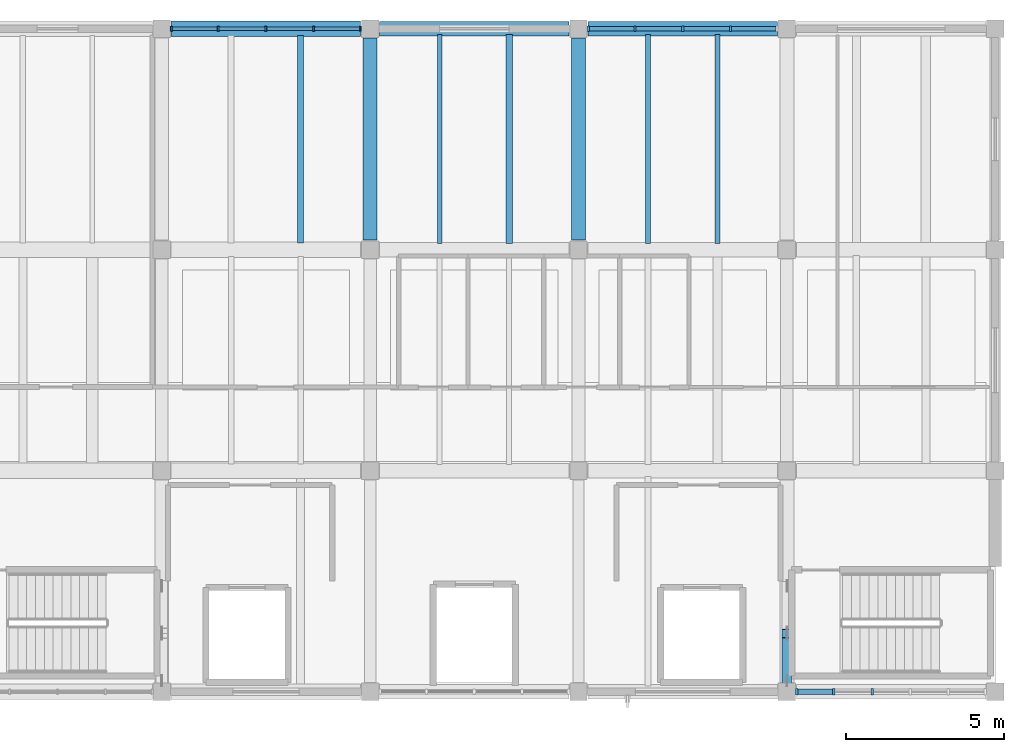
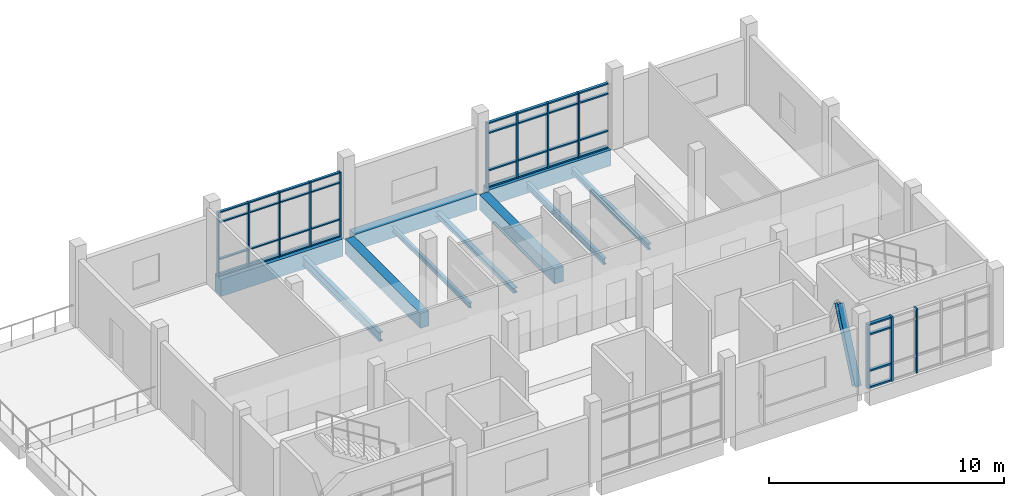
# One storey, part 4 of 12: 49 members, 10 beams, 3 elements without a shape of their own.
"""IFC4 building model written with IfcOpenShell, lengths in metres."""

from ifc_helpers import new_model, si_unit, direction, frame, origin, origin_2d, place, context, subcontext, project, spatial, rectangle, i_section, extrude, material, material_profile, profile_set, type_object, element, aggregate, save


model = new_model("IFC4")

# Units and contexts
model_context = context("Model", 3, precision=1e-05, world=origin(), true_north=direction((0.0, 1.0)))
body_context = subcontext(model_context, "Body", "Model", "MODEL_VIEW")
ifc_project = project(units=[si_unit("LENGTHUNIT", "METRE"), si_unit("AREAUNIT", "SQUARE_METRE"), si_unit("VOLUMEUNIT", "CUBIC_METRE"), si_unit("PLANEANGLEUNIT", "RADIAN"), si_unit("MASSUNIT", "GRAM", prefix="KILO")], contexts=[model_context])

# Site, building, storey
site_placement = place(None, origin())
site = spatial("IfcSite", under=ifc_project, at=site_placement, CompositionType="ELEMENT")
building_placement = place(site_placement, origin())
building = spatial("IfcBuilding", under=site, at=building_placement, Name="Ciguamira Faculty of Natural Sciences", CompositionType="ELEMENT")
storey_placement = place(building_placement, frame((0.0, 0.0, 37.800048828125)))
storey = spatial("IfcBuildingStorey", under=building, at=storey_placement, Name="L09", CompositionType="ELEMENT", Elevation=37.800048828125)

# Curtain wall, members
ifc_material_1 = material(Name="Anodized aluminium curtain wall", Category="aluminium")
curtain_wall_type_1 = type_object("IfcCurtainWallType", Name="CurtainWall_CW-07", PredefinedType="USERDEFINED", material=ifc_material_1)
curtain_wall_1_placement = place(storey_placement, origin())
curtain_wall_1 = element("IfcCurtainWall", 1, at=curtain_wall_1_placement, inside=storey, type_object=curtain_wall_type_1, Name="L09 unitised curtain wall 0163", ObjectType="UNITISED CURTAIN WALL", PredefinedType="USERDEFINED")
ifc_material_2 = material(Name="Anodized aluminium mullion", Category="aluminium")
ifc_material_profile_1 = material_profile(ifc_material_2, rectangle(XDim=0.06005859375, YDim=0.159912109375, at=origin_2d()), Name="ALU-MUL-60X160")
ifc_profile_set_1 = profile_set([ifc_material_profile_1], Name="Anodized aluminium mullion")
member_type_1 = type_object("IfcMemberType", Name="CWMullion_CWM-01", PredefinedType="MULLION", material=ifc_profile_set_1)
member_1_placement = place(storey_placement, frame((77.405029296875, 115.0, 0.0), z_axis=(0.0, 0.0, 1.0), x_axis=(1.0, 0.0, 0.0)))
member_1 = element("IfcMember", 2, at=member_1_placement, type_object=member_type_1, Name="CW-07 mullion 1", PredefinedType="MULLION", context=body_context, shape_type="SweptSolid", body=[
    extrude(rectangle(XDim=0.06005859375, YDim=0.159912109375, at=origin_2d()), origin(), (0.0, 0.0, 1.0), 3.364990234375),
])
member_2_placement = place(storey_placement, frame((78.887451171875, 115.0, 0.0), z_axis=(0.0, 0.0, 1.0), x_axis=(1.0, 0.0, 0.0)))
member_2 = element("IfcMember", 3, at=member_2_placement, type_object=member_type_1, Name="CW-07 mullion 2", PredefinedType="MULLION", context=body_context, shape_type="SweptSolid", body=[
    extrude(rectangle(XDim=0.06005859375, YDim=0.159912109375, at=origin_2d()), origin(), (0.0, 0.0, 1.0), 3.364990234375),
])
member_3_placement = place(storey_placement, frame((80.39990234375, 115.0, 0.0), z_axis=(0.0, 0.0, 1.0), x_axis=(1.0, 0.0, 0.0)))
member_3 = element("IfcMember", 4, at=member_3_placement, type_object=member_type_1, Name="CW-07 mullion 3", PredefinedType="MULLION", context=body_context, shape_type="SweptSolid", body=[
    extrude(rectangle(XDim=0.06005859375, YDim=0.159912109375, at=origin_2d()), origin(), (0.0, 0.0, 1.0), 3.364990234375),
])
member_4_placement = place(storey_placement, frame((81.91259765625, 115.0, 0.0), z_axis=(0.0, 0.0, 1.0), x_axis=(1.0, 0.0, 0.0)))
member_4 = element("IfcMember", 5, at=member_4_placement, type_object=member_type_1, Name="CW-07 mullion 4", PredefinedType="MULLION", context=body_context, shape_type="SweptSolid", body=[
    extrude(rectangle(XDim=0.06005859375, YDim=0.159912109375, at=origin_2d()), origin(), (0.0, 0.0, 1.0), 3.364990234375),
])
member_5_placement = place(storey_placement, frame((83.39501953125, 115.0, 0.0), z_axis=(0.0, 0.0, 1.0), x_axis=(1.0, 0.0, 0.0)))
member_5 = element("IfcMember", 6, at=member_5_placement, type_object=member_type_1, Name="CW-07 mullion 5", PredefinedType="MULLION", context=body_context, shape_type="SweptSolid", body=[
    extrude(rectangle(XDim=0.06005859375, YDim=0.159912109375, at=origin_2d()), origin(), (0.0, 0.0, 1.0), 3.364990234375),
])

curtain_wall_type_2 = type_object("IfcCurtainWallType", Name="CurtainWall_CW-08", PredefinedType="USERDEFINED", material=ifc_material_1)
curtain_wall_2_placement = place(storey_placement, origin())
curtain_wall_2 = element("IfcCurtainWall", 7, at=curtain_wall_2_placement, inside=storey, type_object=curtain_wall_type_2, Name="L09 unitised curtain wall 0164", ObjectType="UNITISED CURTAIN WALL", PredefinedType="USERDEFINED")
ifc_material_profile_2 = material_profile(ifc_material_2, rectangle(XDim=0.070068359375, YDim=0.179931640625, at=origin_2d()), Name="ALU-MUL-70X180")
ifc_profile_set_2 = profile_set([ifc_material_profile_2], Name="Anodized aluminium mullion")
member_type_2 = type_object("IfcMemberType", Name="CWMullion_CWM-02", PredefinedType="MULLION", material=ifc_profile_set_2)
member_6_placement = place(storey_placement, frame((90.610107421875, 115.0, 0.0), z_axis=(0.0, 0.0, 1.0), x_axis=(1.0, 0.0, 0.0)))
member_6 = element("IfcMember", 8, at=member_6_placement, type_object=member_type_2, Name="CW-08 mullion 1", PredefinedType="MULLION", context=body_context, shape_type="SweptSolid", body=[
    extrude(rectangle(XDim=0.070068359375, YDim=0.179931640625, at=origin_2d()), origin(), (0.0, 0.0, 1.0), 3.385009765625),
])
member_7_placement = place(storey_placement, frame((92.08740234375, 115.0, 0.0), z_axis=(0.0, 0.0, 1.0), x_axis=(1.0, 0.0, 0.0)))
member_7 = element("IfcMember", 9, at=member_7_placement, type_object=member_type_2, Name="CW-08 mullion 2", PredefinedType="MULLION", context=body_context, shape_type="SweptSolid", body=[
    extrude(rectangle(XDim=0.070068359375, YDim=0.179931640625, at=origin_2d()), origin(), (0.0, 0.0, 1.0), 3.385009765625),
])
member_8_placement = place(storey_placement, frame((93.60009765625, 115.0, 0.0), z_axis=(0.0, 0.0, 1.0), x_axis=(1.0, 0.0, 0.0)))
member_8 = element("IfcMember", 10, at=member_8_placement, type_object=member_type_2, Name="CW-08 mullion 3", PredefinedType="MULLION", context=body_context, shape_type="SweptSolid", body=[
    extrude(rectangle(XDim=0.070068359375, YDim=0.179931640625, at=origin_2d()), origin(), (0.0, 0.0, 1.0), 3.385009765625),
])
member_9_placement = place(storey_placement, frame((95.112548828125, 115.0, 0.0), z_axis=(0.0, 0.0, 1.0), x_axis=(1.0, 0.0, 0.0)))
member_9 = element("IfcMember", 11, at=member_9_placement, type_object=member_type_2, Name="CW-08 mullion 4", PredefinedType="MULLION", context=body_context, shape_type="SweptSolid", body=[
    extrude(rectangle(XDim=0.070068359375, YDim=0.179931640625, at=origin_2d()), origin(), (0.0, 0.0, 1.0), 3.385009765625),
])

curtain_wall_type_3 = type_object("IfcCurtainWallType", Name="CurtainWall_CW-06", PredefinedType="USERDEFINED", material=ifc_material_1)
curtain_wall_3_placement = place(storey_placement, origin())
curtain_wall_3 = element("IfcCurtainWall", 12, at=curtain_wall_3_placement, inside=storey, type_object=curtain_wall_type_3, Name="L09 unitised curtain wall 0162", ObjectType="UNITISED CURTAIN WALL", PredefinedType="USERDEFINED")
ifc_material_profile_3 = material_profile(ifc_material_2, rectangle(XDim=0.080078125, YDim=0.219970703125, at=origin_2d()), Name="ALU-MUL-80X220")
ifc_profile_set_3 = profile_set([ifc_material_profile_3], Name="Anodized aluminium mullion")
member_type_3 = type_object("IfcMemberType", Name="CWMullion_CWM-03", PredefinedType="MULLION", material=ifc_profile_set_3)
member_10_placement = place(storey_placement, frame((97.215087890625, 94.0, 0.0), z_axis=(0.0, 0.0, 1.0), x_axis=(1.0, 0.0, 0.0)))
member_10 = element("IfcMember", 13, at=member_10_placement, type_object=member_type_3, Name="CW-06 mullion 1", PredefinedType="MULLION", context=body_context, shape_type="SweptSolid", body=[
    extrude(rectangle(XDim=0.080078125, YDim=0.219970703125, at=origin_2d()), origin(), (0.0, 0.0, 1.0), 3.344970703125),
])
member_11_placement = place(storey_placement, frame((98.385009765625, 94.0, 0.0), z_axis=(0.0, 0.0, 1.0), x_axis=(1.0, 0.0, 0.0)))
member_11 = element("IfcMember", 14, at=member_11_placement, type_object=member_type_3, Name="CW-06 mullion 2", PredefinedType="MULLION", context=body_context, shape_type="SweptSolid", body=[
    extrude(rectangle(XDim=0.080078125, YDim=0.219970703125, at=origin_2d()), origin(), (0.0, 0.0, 1.0), 3.344970703125),
])
member_12_placement = place(storey_placement, frame((99.594970703125, 94.0, 0.0), z_axis=(0.0, 0.0, 1.0), x_axis=(1.0, 0.0, 0.0)))
member_12 = element("IfcMember", 15, at=member_12_placement, type_object=member_type_3, Name="CW-06 mullion 3", PredefinedType="MULLION", context=body_context, shape_type="SweptSolid", body=[
    extrude(rectangle(XDim=0.080078125, YDim=0.219970703125, at=origin_2d()), origin(), (0.0, 0.0, 1.0), 3.344970703125),
])

# Member
ifc_material_3 = material(Name="Anodized aluminium transom", Category="aluminium")
ifc_material_profile_4 = material_profile(ifc_material_3, rectangle(XDim=0.06005859375, YDim=0.1201171875, at=origin_2d()), Name="ALU-TRN-60X120")
ifc_profile_set_4 = profile_set([ifc_material_profile_4], Name="Anodized aluminium transom")
member_type_4 = type_object("IfcMemberType", Name="CWTransom_CWT-01", PredefinedType="USERDEFINED", material=ifc_profile_set_4)
member_13_placement = place(storey_placement, frame((77.43505859375, 115.0, 0.030029296875), z_axis=(1.0, 0.0, 0.0), x_axis=(0.0, 0.0, 1.0)))
member_13 = element("IfcMember", 16, at=member_13_placement, type_object=member_type_4, Name="CW-07 transom 1.1", ObjectType="TRANSOM", PredefinedType="USERDEFINED", context=body_context, shape_type="SweptSolid", body=[
    extrude(rectangle(XDim=0.06005859375, YDim=0.1201171875, at=origin_2d()), origin(), (0.0, 0.0, 1.0), 1.42236328125),
])

member_14_placement = place(storey_placement, frame((77.43505859375, 115.0, 0.89990234375), z_axis=(1.0, 0.0, 0.0), x_axis=(0.0, 0.0, 1.0)))
member_14 = element("IfcMember", 17, at=member_14_placement, type_object=member_type_4, Name="CW-07 transom 1.2", ObjectType="TRANSOM", PredefinedType="USERDEFINED", context=body_context, shape_type="SweptSolid", body=[
    extrude(rectangle(XDim=0.06005859375, YDim=0.1201171875, at=origin_2d()), origin(), (0.0, 0.0, 1.0), 1.42236328125),
])

member_15_placement = place(storey_placement, frame((77.43505859375, 115.0, 2.81494140625), z_axis=(1.0, 0.0, 0.0), x_axis=(0.0, 0.0, 1.0)))
member_15 = element("IfcMember", 18, at=member_15_placement, type_object=member_type_4, Name="CW-07 transom 1.3", ObjectType="TRANSOM", PredefinedType="USERDEFINED", context=body_context, shape_type="SweptSolid", body=[
    extrude(rectangle(XDim=0.06005859375, YDim=0.1201171875, at=origin_2d()), origin(), (0.0, 0.0, 1.0), 1.42236328125),
])

member_16_placement = place(storey_placement, frame((77.43505859375, 115.0, 3.3349609375), z_axis=(1.0, 0.0, 0.0), x_axis=(0.0, 0.0, 1.0)))
member_16 = element("IfcMember", 19, at=member_16_placement, type_object=member_type_4, Name="CW-07 transom 1.4", ObjectType="TRANSOM", PredefinedType="USERDEFINED", context=body_context, shape_type="SweptSolid", body=[
    extrude(rectangle(XDim=0.06005859375, YDim=0.1201171875, at=origin_2d()), origin(), (0.0, 0.0, 1.0), 1.42236328125),
])

member_17_placement = place(storey_placement, frame((78.91748046875, 115.0, 0.030029296875), z_axis=(1.0, 0.0, 0.0), x_axis=(0.0, 0.0, 1.0)))
member_17 = element("IfcMember", 20, at=member_17_placement, type_object=member_type_4, Name="CW-07 transom 2.1", ObjectType="TRANSOM", PredefinedType="USERDEFINED", context=body_context, shape_type="SweptSolid", body=[
    extrude(rectangle(XDim=0.06005859375, YDim=0.1201171875, at=origin_2d()), origin(), (0.0, 0.0, 1.0), 1.45263671875),
])

member_18_placement = place(storey_placement, frame((78.91748046875, 115.0, 0.89990234375), z_axis=(1.0, 0.0, 0.0), x_axis=(0.0, 0.0, 1.0)))
member_18 = element("IfcMember", 21, at=member_18_placement, type_object=member_type_4, Name="CW-07 transom 2.2", ObjectType="TRANSOM", PredefinedType="USERDEFINED", context=body_context, shape_type="SweptSolid", body=[
    extrude(rectangle(XDim=0.06005859375, YDim=0.1201171875, at=origin_2d()), origin(), (0.0, 0.0, 1.0), 1.45263671875),
])

member_19_placement = place(storey_placement, frame((78.91748046875, 115.0, 2.81494140625), z_axis=(1.0, 0.0, 0.0), x_axis=(0.0, 0.0, 1.0)))
member_19 = element("IfcMember", 22, at=member_19_placement, type_object=member_type_4, Name="CW-07 transom 2.3", ObjectType="TRANSOM", PredefinedType="USERDEFINED", context=body_context, shape_type="SweptSolid", body=[
    extrude(rectangle(XDim=0.06005859375, YDim=0.1201171875, at=origin_2d()), origin(), (0.0, 0.0, 1.0), 1.45263671875),
])

member_20_placement = place(storey_placement, frame((78.91748046875, 115.0, 3.3349609375), z_axis=(1.0, 0.0, 0.0), x_axis=(0.0, 0.0, 1.0)))
member_20 = element("IfcMember", 23, at=member_20_placement, type_object=member_type_4, Name="CW-07 transom 2.4", ObjectType="TRANSOM", PredefinedType="USERDEFINED", context=body_context, shape_type="SweptSolid", body=[
    extrude(rectangle(XDim=0.06005859375, YDim=0.1201171875, at=origin_2d()), origin(), (0.0, 0.0, 1.0), 1.45263671875),
])

member_21_placement = place(storey_placement, frame((80.429931640625, 115.0, 0.030029296875), z_axis=(1.0, 0.0, 0.0), x_axis=(0.0, 0.0, 1.0)))
member_21 = element("IfcMember", 24, at=member_21_placement, type_object=member_type_4, Name="CW-07 transom 3.1", ObjectType="TRANSOM", PredefinedType="USERDEFINED", context=body_context, shape_type="SweptSolid", body=[
    extrude(rectangle(XDim=0.06005859375, YDim=0.1201171875, at=origin_2d()), origin(), (0.0, 0.0, 1.0), 1.45263671875),
])

member_22_placement = place(storey_placement, frame((80.429931640625, 115.0, 0.89990234375), z_axis=(1.0, 0.0, 0.0), x_axis=(0.0, 0.0, 1.0)))
member_22 = element("IfcMember", 25, at=member_22_placement, type_object=member_type_4, Name="CW-07 transom 3.2", ObjectType="TRANSOM", PredefinedType="USERDEFINED", context=body_context, shape_type="SweptSolid", body=[
    extrude(rectangle(XDim=0.06005859375, YDim=0.1201171875, at=origin_2d()), origin(), (0.0, 0.0, 1.0), 1.45263671875),
])

member_23_placement = place(storey_placement, frame((80.429931640625, 115.0, 2.81494140625), z_axis=(1.0, 0.0, 0.0), x_axis=(0.0, 0.0, 1.0)))
member_23 = element("IfcMember", 26, at=member_23_placement, type_object=member_type_4, Name="CW-07 transom 3.3", ObjectType="TRANSOM", PredefinedType="USERDEFINED", context=body_context, shape_type="SweptSolid", body=[
    extrude(rectangle(XDim=0.06005859375, YDim=0.1201171875, at=origin_2d()), origin(), (0.0, 0.0, 1.0), 1.45263671875),
])

member_24_placement = place(storey_placement, frame((80.429931640625, 115.0, 3.3349609375), z_axis=(1.0, 0.0, 0.0), x_axis=(0.0, 0.0, 1.0)))
member_24 = element("IfcMember", 27, at=member_24_placement, type_object=member_type_4, Name="CW-07 transom 3.4", ObjectType="TRANSOM", PredefinedType="USERDEFINED", context=body_context, shape_type="SweptSolid", body=[
    extrude(rectangle(XDim=0.06005859375, YDim=0.1201171875, at=origin_2d()), origin(), (0.0, 0.0, 1.0), 1.45263671875),
])

member_25_placement = place(storey_placement, frame((81.9423828125, 115.0, 0.030029296875), z_axis=(1.0, 0.0, 0.0), x_axis=(0.0, 0.0, 1.0)))
member_25 = element("IfcMember", 28, at=member_25_placement, type_object=member_type_4, Name="CW-07 transom 4.1", ObjectType="TRANSOM", PredefinedType="USERDEFINED", context=body_context, shape_type="SweptSolid", body=[
    extrude(rectangle(XDim=0.06005859375, YDim=0.1201171875, at=origin_2d()), origin(), (0.0, 0.0, 1.0), 1.422607421875),
])

member_26_placement = place(storey_placement, frame((81.9423828125, 115.0, 0.89990234375), z_axis=(1.0, 0.0, 0.0), x_axis=(0.0, 0.0, 1.0)))
member_26 = element("IfcMember", 29, at=member_26_placement, type_object=member_type_4, Name="CW-07 transom 4.2", ObjectType="TRANSOM", PredefinedType="USERDEFINED", context=body_context, shape_type="SweptSolid", body=[
    extrude(rectangle(XDim=0.06005859375, YDim=0.1201171875, at=origin_2d()), origin(), (0.0, 0.0, 1.0), 1.422607421875),
])

member_27_placement = place(storey_placement, frame((81.9423828125, 115.0, 2.81494140625), z_axis=(1.0, 0.0, 0.0), x_axis=(0.0, 0.0, 1.0)))
member_27 = element("IfcMember", 30, at=member_27_placement, type_object=member_type_4, Name="CW-07 transom 4.3", ObjectType="TRANSOM", PredefinedType="USERDEFINED", context=body_context, shape_type="SweptSolid", body=[
    extrude(rectangle(XDim=0.06005859375, YDim=0.1201171875, at=origin_2d()), origin(), (0.0, 0.0, 1.0), 1.422607421875),
])

member_28_placement = place(storey_placement, frame((81.9423828125, 115.0, 3.3349609375), z_axis=(1.0, 0.0, 0.0), x_axis=(0.0, 0.0, 1.0)))
member_28 = element("IfcMember", 31, at=member_28_placement, type_object=member_type_4, Name="CW-07 transom 4.4", ObjectType="TRANSOM", PredefinedType="USERDEFINED", context=body_context, shape_type="SweptSolid", body=[
    extrude(rectangle(XDim=0.06005859375, YDim=0.1201171875, at=origin_2d()), origin(), (0.0, 0.0, 1.0), 1.422607421875),
])

aggregate(curtain_wall_1, [member_1, member_2, member_3, member_4, member_5, member_13, member_14, member_15, member_16, member_17, member_18, member_19, member_20, member_21, member_22, member_23, member_24, member_25, member_26, member_27, member_28])

ifc_material_profile_5 = material_profile(ifc_material_3, rectangle(XDim=0.070068359375, YDim=0.139892578125, at=origin_2d()), Name="ALU-TRN-70X140")
ifc_profile_set_5 = profile_set([ifc_material_profile_5], Name="Anodized aluminium transom")
member_type_5 = type_object("IfcMemberType", Name="CWTransom_CWT-02", PredefinedType="USERDEFINED", material=ifc_profile_set_5)
member_29_placement = place(storey_placement, frame((90.64501953125, 115.0, 0.034912109375), z_axis=(1.0, 0.0, 0.0), x_axis=(0.0, 0.0, 1.0)))
member_29 = element("IfcMember", 32, at=member_29_placement, type_object=member_type_5, Name="CW-08 transom 1.1", ObjectType="TRANSOM", PredefinedType="USERDEFINED", context=body_context, shape_type="SweptSolid", body=[
    extrude(rectangle(XDim=0.070068359375, YDim=0.139892578125, at=origin_2d()), origin(), (0.0, 0.0, 1.0), 1.407470703125),
])

member_30_placement = place(storey_placement, frame((90.64501953125, 115.0, 0.89990234375), z_axis=(1.0, 0.0, 0.0), x_axis=(0.0, 0.0, 1.0)))
member_30 = element("IfcMember", 33, at=member_30_placement, type_object=member_type_5, Name="CW-08 transom 1.2", ObjectType="TRANSOM", PredefinedType="USERDEFINED", context=body_context, shape_type="SweptSolid", body=[
    extrude(rectangle(XDim=0.070068359375, YDim=0.139892578125, at=origin_2d()), origin(), (0.0, 0.0, 1.0), 1.407470703125),
])

member_31_placement = place(storey_placement, frame((90.64501953125, 115.0, 2.8349609375), z_axis=(1.0, 0.0, 0.0), x_axis=(0.0, 0.0, 1.0)))
member_31 = element("IfcMember", 34, at=member_31_placement, type_object=member_type_5, Name="CW-08 transom 1.3", ObjectType="TRANSOM", PredefinedType="USERDEFINED", context=body_context, shape_type="SweptSolid", body=[
    extrude(rectangle(XDim=0.070068359375, YDim=0.139892578125, at=origin_2d()), origin(), (0.0, 0.0, 1.0), 1.407470703125),
])

member_32_placement = place(storey_placement, frame((90.64501953125, 115.0, 3.349853515625), z_axis=(1.0, 0.0, 0.0), x_axis=(0.0, 0.0, 1.0)))
member_32 = element("IfcMember", 35, at=member_32_placement, type_object=member_type_5, Name="CW-08 transom 1.4", ObjectType="TRANSOM", PredefinedType="USERDEFINED", context=body_context, shape_type="SweptSolid", body=[
    extrude(rectangle(XDim=0.070068359375, YDim=0.139892578125, at=origin_2d()), origin(), (0.0, 0.0, 1.0), 1.407470703125),
])

member_33_placement = place(storey_placement, frame((92.12255859375, 115.0, 0.034912109375), z_axis=(1.0, 0.0, 0.0), x_axis=(0.0, 0.0, 1.0)))
member_33 = element("IfcMember", 36, at=member_33_placement, type_object=member_type_5, Name="CW-08 transom 2.1", ObjectType="TRANSOM", PredefinedType="USERDEFINED", context=body_context, shape_type="SweptSolid", body=[
    extrude(rectangle(XDim=0.070068359375, YDim=0.139892578125, at=origin_2d()), origin(), (0.0, 0.0, 1.0), 1.4423828125),
])

member_34_placement = place(storey_placement, frame((92.12255859375, 115.0, 0.89990234375), z_axis=(1.0, 0.0, 0.0), x_axis=(0.0, 0.0, 1.0)))
member_34 = element("IfcMember", 37, at=member_34_placement, type_object=member_type_5, Name="CW-08 transom 2.2", ObjectType="TRANSOM", PredefinedType="USERDEFINED", context=body_context, shape_type="SweptSolid", body=[
    extrude(rectangle(XDim=0.070068359375, YDim=0.139892578125, at=origin_2d()), origin(), (0.0, 0.0, 1.0), 1.4423828125),
])

member_35_placement = place(storey_placement, frame((92.12255859375, 115.0, 2.8349609375), z_axis=(1.0, 0.0, 0.0), x_axis=(0.0, 0.0, 1.0)))
member_35 = element("IfcMember", 38, at=member_35_placement, type_object=member_type_5, Name="CW-08 transom 2.3", ObjectType="TRANSOM", PredefinedType="USERDEFINED", context=body_context, shape_type="SweptSolid", body=[
    extrude(rectangle(XDim=0.070068359375, YDim=0.139892578125, at=origin_2d()), origin(), (0.0, 0.0, 1.0), 1.4423828125),
])

member_36_placement = place(storey_placement, frame((92.12255859375, 115.0, 3.349853515625), z_axis=(1.0, 0.0, 0.0), x_axis=(0.0, 0.0, 1.0)))
member_36 = element("IfcMember", 39, at=member_36_placement, type_object=member_type_5, Name="CW-08 transom 2.4", ObjectType="TRANSOM", PredefinedType="USERDEFINED", context=body_context, shape_type="SweptSolid", body=[
    extrude(rectangle(XDim=0.070068359375, YDim=0.139892578125, at=origin_2d()), origin(), (0.0, 0.0, 1.0), 1.4423828125),
])

member_37_placement = place(storey_placement, frame((93.635009765625, 115.0, 0.034912109375), z_axis=(1.0, 0.0, 0.0), x_axis=(0.0, 0.0, 1.0)))
member_37 = element("IfcMember", 40, at=member_37_placement, type_object=member_type_5, Name="CW-08 transom 3.1", ObjectType="TRANSOM", PredefinedType="USERDEFINED", context=body_context, shape_type="SweptSolid", body=[
    extrude(rectangle(XDim=0.070068359375, YDim=0.139892578125, at=origin_2d()), origin(), (0.0, 0.0, 1.0), 1.4423828125),
])

member_38_placement = place(storey_placement, frame((93.635009765625, 115.0, 0.89990234375), z_axis=(1.0, 0.0, 0.0), x_axis=(0.0, 0.0, 1.0)))
member_38 = element("IfcMember", 41, at=member_38_placement, type_object=member_type_5, Name="CW-08 transom 3.2", ObjectType="TRANSOM", PredefinedType="USERDEFINED", context=body_context, shape_type="SweptSolid", body=[
    extrude(rectangle(XDim=0.070068359375, YDim=0.139892578125, at=origin_2d()), origin(), (0.0, 0.0, 1.0), 1.4423828125),
])

member_39_placement = place(storey_placement, frame((93.635009765625, 115.0, 2.8349609375), z_axis=(1.0, 0.0, 0.0), x_axis=(0.0, 0.0, 1.0)))
member_39 = element("IfcMember", 42, at=member_39_placement, type_object=member_type_5, Name="CW-08 transom 3.3", ObjectType="TRANSOM", PredefinedType="USERDEFINED", context=body_context, shape_type="SweptSolid", body=[
    extrude(rectangle(XDim=0.070068359375, YDim=0.139892578125, at=origin_2d()), origin(), (0.0, 0.0, 1.0), 1.4423828125),
])

member_40_placement = place(storey_placement, frame((93.635009765625, 115.0, 3.349853515625), z_axis=(1.0, 0.0, 0.0), x_axis=(0.0, 0.0, 1.0)))
member_40 = element("IfcMember", 43, at=member_40_placement, type_object=member_type_5, Name="CW-08 transom 3.4", ObjectType="TRANSOM", PredefinedType="USERDEFINED", context=body_context, shape_type="SweptSolid", body=[
    extrude(rectangle(XDim=0.070068359375, YDim=0.139892578125, at=origin_2d()), origin(), (0.0, 0.0, 1.0), 1.4423828125),
])

member_41_placement = place(storey_placement, frame((95.1474609375, 115.0, 0.034912109375), z_axis=(1.0, 0.0, 0.0), x_axis=(0.0, 0.0, 1.0)))
member_41 = element("IfcMember", 44, at=member_41_placement, type_object=member_type_5, Name="CW-08 transom 4.1", ObjectType="TRANSOM", PredefinedType="USERDEFINED", context=body_context, shape_type="SweptSolid", body=[
    extrude(rectangle(XDim=0.070068359375, YDim=0.139892578125, at=origin_2d()), origin(), (0.0, 0.0, 1.0), 1.407470703125),
])

member_42_placement = place(storey_placement, frame((95.1474609375, 115.0, 0.89990234375), z_axis=(1.0, 0.0, 0.0), x_axis=(0.0, 0.0, 1.0)))
member_42 = element("IfcMember", 45, at=member_42_placement, type_object=member_type_5, Name="CW-08 transom 4.2", ObjectType="TRANSOM", PredefinedType="USERDEFINED", context=body_context, shape_type="SweptSolid", body=[
    extrude(rectangle(XDim=0.070068359375, YDim=0.139892578125, at=origin_2d()), origin(), (0.0, 0.0, 1.0), 1.407470703125),
])

member_43_placement = place(storey_placement, frame((95.1474609375, 115.0, 2.8349609375), z_axis=(1.0, 0.0, 0.0), x_axis=(0.0, 0.0, 1.0)))
member_43 = element("IfcMember", 46, at=member_43_placement, type_object=member_type_5, Name="CW-08 transom 4.3", ObjectType="TRANSOM", PredefinedType="USERDEFINED", context=body_context, shape_type="SweptSolid", body=[
    extrude(rectangle(XDim=0.070068359375, YDim=0.139892578125, at=origin_2d()), origin(), (0.0, 0.0, 1.0), 1.407470703125),
])

member_44_placement = place(storey_placement, frame((95.1474609375, 115.0, 3.349853515625), z_axis=(1.0, 0.0, 0.0), x_axis=(0.0, 0.0, 1.0)))
member_44 = element("IfcMember", 47, at=member_44_placement, type_object=member_type_5, Name="CW-08 transom 4.4", ObjectType="TRANSOM", PredefinedType="USERDEFINED", context=body_context, shape_type="SweptSolid", body=[
    extrude(rectangle(XDim=0.070068359375, YDim=0.139892578125, at=origin_2d()), origin(), (0.0, 0.0, 1.0), 1.407470703125),
])

aggregate(curtain_wall_2, [member_6, member_7, member_8, member_9, member_29, member_30, member_31, member_32, member_33, member_34, member_35, member_36, member_37, member_38, member_39, member_40, member_41, member_42, member_43, member_44])

ifc_material_profile_6 = material_profile(ifc_material_3, rectangle(XDim=0.080078125, YDim=0.159912109375, at=origin_2d()), Name="ALU-TRN-80X160")
ifc_profile_set_6 = profile_set([ifc_material_profile_6], Name="Anodized aluminium transom")
member_type_6 = type_object("IfcMemberType", Name="CWTransom_CWT-03", PredefinedType="USERDEFINED", material=ifc_profile_set_6)
member_45_placement = place(storey_placement, frame((97.2548828125, 94.0, 0.0400390625), z_axis=(1.0, 0.0, 0.0), x_axis=(0.0, 0.0, 1.0)))
member_45 = element("IfcMember", 48, at=member_45_placement, type_object=member_type_6, Name="CW-06 transom 1.1", ObjectType="TRANSOM", PredefinedType="USERDEFINED", context=body_context, shape_type="SweptSolid", body=[
    extrude(rectangle(XDim=0.080078125, YDim=0.159912109375, at=origin_2d()), origin(), (0.0, 0.0, 1.0), 1.090087890625),
])

member_46_placement = place(storey_placement, frame((97.2548828125, 94.0, 0.89990234375), z_axis=(1.0, 0.0, 0.0), x_axis=(0.0, 0.0, 1.0)))
member_46 = element("IfcMember", 49, at=member_46_placement, type_object=member_type_6, Name="CW-06 transom 1.2", ObjectType="TRANSOM", PredefinedType="USERDEFINED", context=body_context, shape_type="SweptSolid", body=[
    extrude(rectangle(XDim=0.080078125, YDim=0.159912109375, at=origin_2d()), origin(), (0.0, 0.0, 1.0), 1.090087890625),
])

member_47_placement = place(storey_placement, frame((97.2548828125, 94.0, 2.794921875), z_axis=(1.0, 0.0, 0.0), x_axis=(0.0, 0.0, 1.0)))
member_47 = element("IfcMember", 50, at=member_47_placement, type_object=member_type_6, Name="CW-06 transom 1.3", ObjectType="TRANSOM", PredefinedType="USERDEFINED", context=body_context, shape_type="SweptSolid", body=[
    extrude(rectangle(XDim=0.080078125, YDim=0.159912109375, at=origin_2d()), origin(), (0.0, 0.0, 1.0), 1.090087890625),
])

member_48_placement = place(storey_placement, frame((97.2548828125, 94.0, 3.304931640625), z_axis=(1.0, 0.0, 0.0), x_axis=(0.0, 0.0, 1.0)))
member_48 = element("IfcMember", 51, at=member_48_placement, type_object=member_type_6, Name="CW-06 transom 1.4", ObjectType="TRANSOM", PredefinedType="USERDEFINED", context=body_context, shape_type="SweptSolid", body=[
    extrude(rectangle(XDim=0.080078125, YDim=0.159912109375, at=origin_2d()), origin(), (0.0, 0.0, 1.0), 1.090087890625),
])

aggregate(curtain_wall_3, [member_10, member_11, member_12, member_45, member_46, member_47, member_48])

# Beams
ifc_material_4 = material(Name="Concrete C40/50", Category="concrete")
ifc_material_profile_7 = material_profile(ifc_material_4, rectangle(XDim=0.5, YDim=0.89990234375, at=origin_2d()), Name="RC-BM-500X900")
ifc_profile_set_7 = profile_set([ifc_material_profile_7], Name="Concrete C40/50")
beam_type_1 = type_object("IfcBeamType", Name="RCBeam_BG-03_RC-BM-500X900", PredefinedType="BEAM", material=ifc_profile_set_7)
beam_1_placement = place(storey_placement, frame((77.39990234375, 115.0, -0.449951171875), z_axis=(1.0, 0.0, 0.0), x_axis=(0.0, 1.0, 0.0)))
element("IfcBeam", 52, at=beam_1_placement, inside=storey, type_object=beam_type_1, Name="L09 RC girder EW-1653", PredefinedType="BEAM", context=body_context, shape_type="SweptSolid", body=[
    extrude(rectangle(XDim=0.5, YDim=0.89990234375, at=origin_2d()), origin(), (0.0, 0.0, 1.0), 6.0),
])
ifc_material_profile_8 = material_profile(ifc_material_4, rectangle(XDim=0.4599609375, YDim=0.820068359375, at=origin_2d()), Name="RC-BM-460X820")
ifc_profile_set_8 = profile_set([ifc_material_profile_8], Name="Concrete C40/50")
beam_type_2 = type_object("IfcBeamType", Name="RCBeam_BG-04_RC-BM-460X820", PredefinedType="BEAM", material=ifc_profile_set_8)
for number, where, z_axis, x_axis, name in (
    (53, (84.0, 115.0, -0.41015625), (1.0, 0.0, 0.0), (0.0, 1.0, 0.0), "L09 RC girder EW-1654"),
    (54, (90.60009765625, 115.0, -0.41015625), (1.0, 0.0, 0.0), (0.0, 1.0, 0.0), "L09 RC girder EW-1655"),
):
    element("IfcBeam", number, at=place(storey_placement, frame(where, z_axis=z_axis, x_axis=x_axis)), inside=storey, type_object=beam_type_2, Name=name, PredefinedType="BEAM", context=body_context, shape_type="SweptSolid", body=[
        extrude(rectangle(XDim=0.4599609375, YDim=0.820068359375, at=origin_2d()), origin(), (0.0, 0.0, 1.0), 6.0),
    ])
ifc_material_profile_9 = material_profile(ifc_material_4, rectangle(XDim=0.43994140625, YDim=0.780029296875, at=origin_2d()), Name="RC-BM-440X780")
ifc_profile_set_9 = profile_set([ifc_material_profile_9], Name="Concrete C40/50")
beam_type_3 = type_object("IfcBeamType", Name="RCBeam_BG-06_RC-BM-440X780", PredefinedType="BEAM", material=ifc_profile_set_9)
for number, where, z_axis, x_axis, name in (
    (55, (83.699951171875, 108.300048828125, -0.39013671875), (0.0, 1.0, 0.0), (-1.0, 0.0, 0.0), "L09 girder NS-1666"),
    (56, (90.300048828125, 108.300048828125, -0.39013671875), (0.0, 1.0, 0.0), (-1.0, 0.0, 0.0), "L09 girder NS-1669"),
):
    element("IfcBeam", number, at=place(storey_placement, frame(where, z_axis=z_axis, x_axis=x_axis)), inside=storey, type_object=beam_type_3, Name=name, PredefinedType="BEAM", context=body_context, shape_type="SweptSolid", body=[
        extrude(rectangle(XDim=0.43994140625, YDim=0.780029296875, at=origin_2d()), origin(), (0.0, 0.0, 1.0), 6.39990234375),
    ])
ifc_material_5 = material(Name="Steel ASTM A992 Grade 50", Category="steel")
ifc_material_profile_10 = material_profile(ifc_material_5, i_section(OverallWidth=0.14599609375, OverallDepth=0.259033203125, WebThickness=0.006103515625, FlangeThickness=0.009033203125, at=origin_2d()), Name="W10X22")
ifc_profile_set_10 = profile_set([ifc_material_profile_10], Name="Steel ASTM A992 Grade 50")
beam_type_4 = type_object("IfcBeamType", Name="SteelJoist_SJ-01_W10X22", PredefinedType="JOIST", material=ifc_profile_set_10)
beam_2_placement = place(storey_placement, frame((85.89990234375, 108.18994140625, -0.349609375), z_axis=(0.0, 1.0, 0.0), x_axis=(-1.0, 0.0, 0.0)))
element("IfcBeam", 57, at=beam_2_placement, inside=storey, type_object=beam_type_4, Name="L09 composite steel joist 01495", PredefinedType="JOIST", context=body_context, shape_type="SweptSolid", body=[
    extrude(i_section(OverallWidth=0.14599609375, OverallDepth=0.259033203125, WebThickness=0.006103515625, FlangeThickness=0.009033203125, at=origin_2d()), origin(), (0.0, 0.0, 1.0), 6.6201171875),
])
ifc_material_profile_11 = material_profile(ifc_material_5, i_section(OverallWidth=0.2021484375, OverallDepth=0.2470703125, WebThickness=0.00732421875, FlangeThickness=0.010986328125, at=origin_2d()), Name="W10X33")
ifc_profile_set_11 = profile_set([ifc_material_profile_11], Name="Steel ASTM A992 Grade 50")
beam_type_5 = type_object("IfcBeamType", Name="SteelJoist_SJ-02_W10X33", PredefinedType="JOIST", material=ifc_profile_set_11)
beam_3_placement = place(storey_placement, frame((88.10009765625, 108.18994140625, -0.34375), z_axis=(0.0, 1.0, 0.0), x_axis=(-1.0, 0.0, 0.0)))
element("IfcBeam", 58, at=beam_3_placement, inside=storey, type_object=beam_type_5, Name="L09 composite steel joist 01496", PredefinedType="JOIST", context=body_context, shape_type="SweptSolid", body=[
    extrude(i_section(OverallWidth=0.2021484375, OverallDepth=0.2470703125, WebThickness=0.00732421875, FlangeThickness=0.010986328125, at=origin_2d()), origin(), (0.0, 0.0, 1.0), 6.6201171875),
])
ifc_material_profile_12 = material_profile(ifc_material_5, i_section(OverallWidth=0.164794921875, OverallDepth=0.309814453125, WebThickness=0.005859375, FlangeThickness=0.009765625, at=origin_2d()), Name="W12X26")
ifc_profile_set_12 = profile_set([ifc_material_profile_12], Name="Steel ASTM A992 Grade 50")
beam_type_6 = type_object("IfcBeamType", Name="SteelJoist_SJ-04_W12X26", PredefinedType="JOIST", material=ifc_profile_set_12)
beam_4_placement = place(storey_placement, frame((92.5, 108.18994140625, -0.375), z_axis=(0.0, 1.0, 0.0), x_axis=(-1.0, 0.0, 0.0)))
element("IfcBeam", 59, at=beam_4_placement, inside=storey, type_object=beam_type_6, Name="L09 composite steel joist 01500", PredefinedType="JOIST", context=body_context, shape_type="SweptSolid", body=[
    extrude(i_section(OverallWidth=0.164794921875, OverallDepth=0.309814453125, WebThickness=0.005859375, FlangeThickness=0.009765625, at=origin_2d()), origin(), (0.0, 0.0, 1.0), 6.6201171875),
])
ifc_material_profile_13 = material_profile(ifc_material_5, i_section(OverallWidth=0.16650390625, OverallDepth=0.3173828125, WebThickness=0.007568359375, FlangeThickness=0.01318359375, at=origin_2d()), Name="W12X35")
ifc_profile_set_13 = profile_set([ifc_material_profile_13], Name="Steel ASTM A992 Grade 50")
beam_type_7 = type_object("IfcBeamType", Name="SteelJoist_SJ-05_W12X35", PredefinedType="JOIST", material=ifc_profile_set_13)
beam_5_placement = place(storey_placement, frame((94.699951171875, 108.18994140625, -0.378662109375), z_axis=(0.0, 1.0, 0.0), x_axis=(-1.0, 0.0, 0.0)))
element("IfcBeam", 60, at=beam_5_placement, inside=storey, type_object=beam_type_7, Name="L09 composite steel joist 01501", PredefinedType="JOIST", context=body_context, shape_type="SweptSolid", body=[
    extrude(i_section(OverallWidth=0.16650390625, OverallDepth=0.3173828125, WebThickness=0.007568359375, FlangeThickness=0.01318359375, at=origin_2d()), origin(), (0.0, 0.0, 1.0), 6.6201171875),
])
ifc_material_profile_14 = material_profile(ifc_material_5, i_section(OverallWidth=0.19287109375, OverallDepth=0.46728515625, WebThickness=0.011474609375, FlangeThickness=0.01904296875, at=origin_2d()), Name="W18X65")
ifc_profile_set_14 = profile_set([ifc_material_profile_14], Name="Steel ASTM A992 Grade 50")
beam_type_8 = type_object("IfcBeamType", Name="SteelJoist_SJ-24_W18X65", PredefinedType="JOIST", material=ifc_profile_set_14)
beam_6_placement = place(storey_placement, frame((81.5, 108.2099609375, -0.453857421875), z_axis=(0.0, 1.0, 0.0), x_axis=(-1.0, 0.0, 0.0)))
element("IfcBeam", 61, at=beam_6_placement, inside=storey, type_object=beam_type_8, Name="L09 composite steel joist 01492", PredefinedType="JOIST", context=body_context, shape_type="SweptSolid", body=[
    extrude(i_section(OverallWidth=0.19287109375, OverallDepth=0.46728515625, WebThickness=0.011474609375, FlangeThickness=0.01904296875, at=origin_2d()), origin(), (0.0, 0.0, 1.0), 6.580078125),
])

# Member
ifc_material_profile_15 = material_profile(ifc_material_5, i_section(OverallWidth=0.3046875, OverallDepth=0.307373046875, WebThickness=0.010009765625, FlangeThickness=0.015380859375, at=origin_2d()), Name="W12X65")
ifc_profile_set_15 = profile_set([ifc_material_profile_15], Name="Steel ASTM A992 Grade 50")
member_type_7 = type_object("IfcMemberType", Name="SteelMember_BR-04_W12X65", PredefinedType="BRACE", material=ifc_profile_set_15)
member_49_placement = place(storey_placement, frame((96.89990234375, 94.35009765625, 0.0), z_axis=(0.0, 0.401669190317, 0.915784833653), x_axis=(-1.0, 0.0, 0.0)))
element("IfcMember", 62, at=member_49_placement, inside=storey, type_object=member_type_7, Name="L09 lateral chevron brace 043", PredefinedType="BRACE", context=body_context, shape_type="SweptSolid", body=[
    extrude(i_section(OverallWidth=0.3046875, OverallDepth=0.307373046875, WebThickness=0.010009765625, FlangeThickness=0.015380859375, at=origin_2d()), origin(), (0.0, 0.0, 1.0), 3.734375),
])

save(model, "model.ifc")
